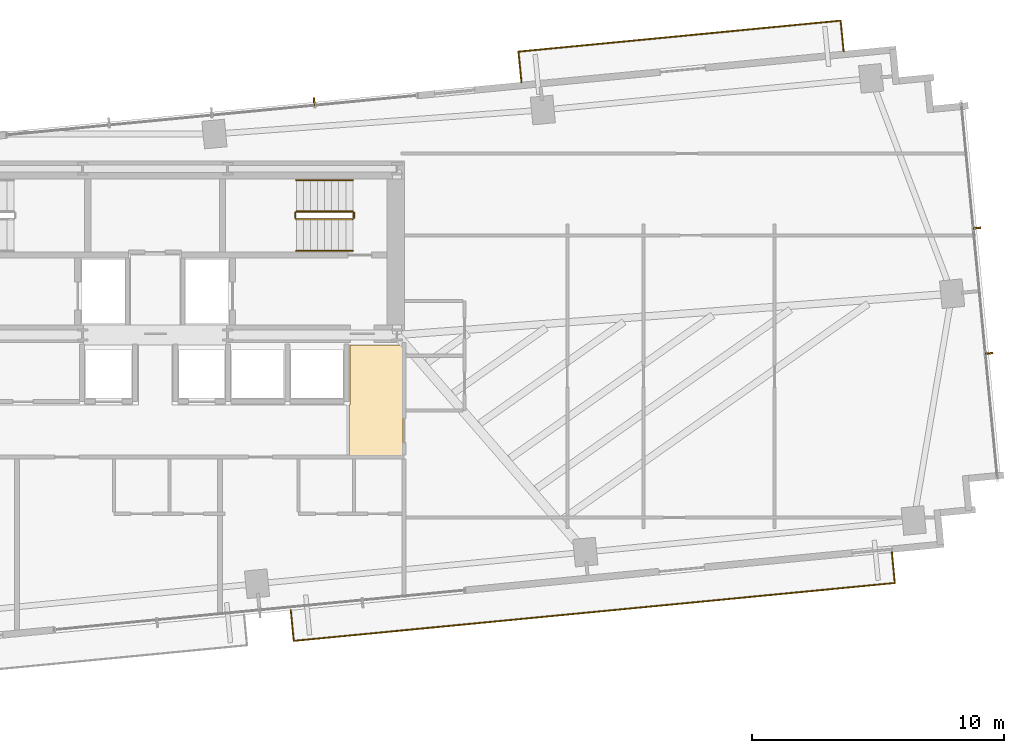
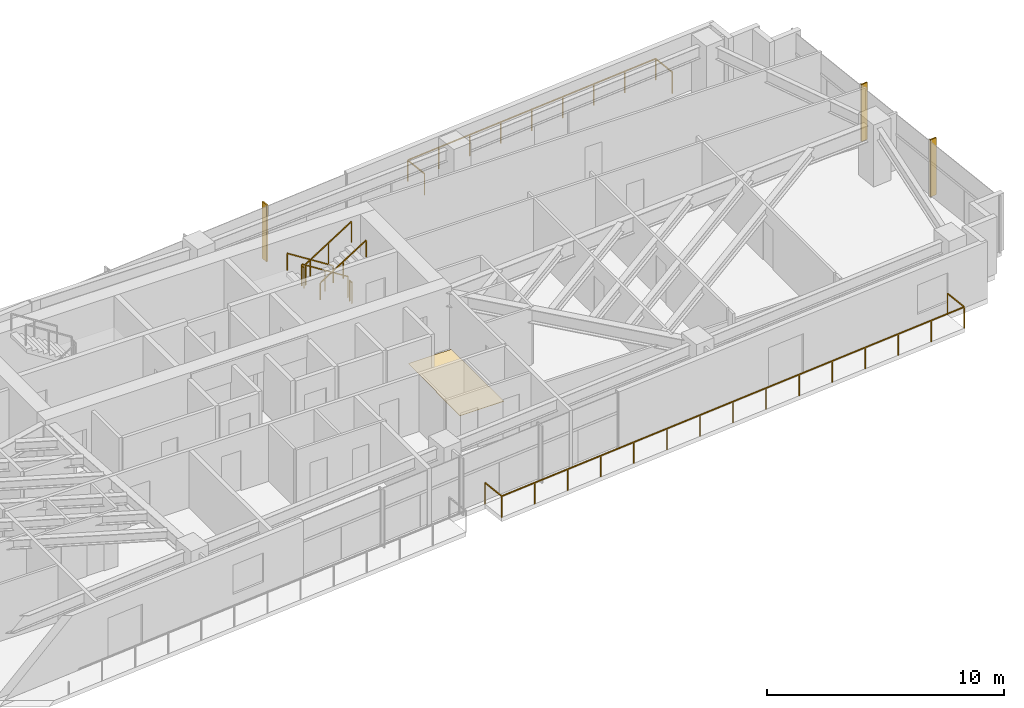
# One storey, part 25 of 25: 8 railings, 3 shading devices, 1 covering.
"""IFC4 building model written with IfcOpenShell, lengths in metres."""

from ifc_helpers import new_model, si_unit, direction, frame, origin, origin_2d, place, context, subcontext, project, spatial, polyline, rectangle, outline, extrude, source, transform, mapped, material, layer, layer_set, type_object, type_shapes, element, save


model = new_model("IFC4")

# Units and contexts
model_context = context("Model", 3, precision=1e-05, world=origin(), true_north=direction((0.0, 1.0)))
body_context = subcontext(model_context, "Body", "Model", "MODEL_VIEW")
ifc_project = project(units=[si_unit("LENGTHUNIT", "METRE"), si_unit("AREAUNIT", "SQUARE_METRE"), si_unit("VOLUMEUNIT", "CUBIC_METRE"), si_unit("PLANEANGLEUNIT", "RADIAN"), si_unit("MASSUNIT", "GRAM", prefix="KILO")], contexts=[model_context])

# Site, building, storey
site_placement = place(None, origin())
site = spatial("IfcSite", under=ifc_project, at=site_placement, CompositionType="ELEMENT")
building_placement = place(site_placement, origin())
building = spatial("IfcBuilding", under=site, at=building_placement, Name="Astriad Promenade Condominiums", CompositionType="ELEMENT")
storey_placement = place(building_placement, frame((0.0, 0.0, 106.60009765625)))
storey = spatial("IfcBuildingStorey", under=building, at=storey_placement, Name="L30", CompositionType="ELEMENT", Elevation=106.60009765625)

# Covering
ifc_material_1 = material(Name="Polished Lakefront Terrazzo Flooring")
ifc_layer = layer(ifc_material_1, 0.02001953125)
ifc_layer_set = layer_set([ifc_layer], Name="Polished Lakefront Terrazzo Flooring")
covering_type = type_object("IfcCoveringType", Name="COV-FLOR-TERRAZZO-20", PredefinedType="FLOORING", material=ifc_layer_set)
covering_placement = place(storey_placement, origin())
element("IfcCovering", 1, at=covering_placement, inside=storey, type_object=covering_type, Name="FLR-L30-COR-1", PredefinedType="FLOORING", context=body_context, shape_type="SweptSolid", body=[
    extrude(outline(polyline([(43.699951171875, 12.590087890625), (43.699951171875, 14.610107421875), (43.703857421875, 14.610107421875), (43.707763671875, 14.61083984375), (43.711669921875, 14.61181640625), (43.71533203125, 14.613037109375), (43.718994140625, 14.61474609375), (43.72216796875, 14.61669921875), (43.725341796875, 14.619140625), (43.728271484375, 14.62158203125), (43.73095703125, 14.62451171875), (43.7333984375, 14.627685546875), (43.7353515625, 14.631103515625), (43.737060546875, 14.634765625), (43.73828125, 14.638427734375), (43.7392578125, 14.64208984375), (43.73974609375, 14.64599609375), (43.739990234375, 14.64990234375), (43.739990234375, 17.010009765625), (45.840087890625, 17.010009765625), (45.840087890625, 12.590087890625), (43.699951171875, 12.590087890625)])), origin(), (0.0, 0.0, 1.0), 0.02001953125),
])

# Shading devices
ifc_material_2 = material(Name="Anodised aluminium 6063-T6 Black Fin", Category="aluminium")
shading_device_type = type_object("IfcShadingDeviceType", Name="FIN-BLACK-320", PredefinedType="USERDEFINED", material=ifc_material_2)
shared_shape_1 = source(origin(), body_context, "Body", "SweptSolid", [
    extrude(rectangle(XDim=0.06494140625, YDim=0.320068359375, at=origin_2d()), origin(), (0.0, 0.0, 1.0), 2.93994140625),
])
type_shapes(shading_device_type, [shared_shape_1])
for number, where, z_axis, x_axis, name in (
    (2, (42.31689453125, 26.656494140625, 0.0), (0.0, 0.0, 1.0), (0.995396198367, 0.09584575252, 0.0), "CW-L30-N-FIN-03"),
    (3, (68.63330078125, 21.6455078125, 0.0), (0.0, 0.0, 1.0), (0.09584575252, -0.995396198367, 0.0), "CW-L30-E-FIN-01"),
    (4, (69.1123046875, 16.668701171875, 0.0), (0.0, 0.0, 1.0), (0.09584575252, -0.995396198367, 0.0), "CW-L30-E-FIN-02"),
):
    element("IfcShadingDevice", number, at=place(storey_placement, frame(where, z_axis=z_axis, x_axis=x_axis)), inside=storey, type_object=shading_device_type, Name=name, ObjectType="FIN", PredefinedType="USERDEFINED", context=body_context, shape_type="MappedRepresentation", body=[
        mapped(shared_shape_1, transform((0.0, 0.0, 0.0), scale=1.0)),
    ])

# Railings
ifc_material_3 = material(Name="Laminated Glass and Stainless Steel Balustrade", Category="steel")
railing_type_1 = type_object("IfcRailingType", Name="GRD-BALC-1120", PredefinedType="BALUSTRADE", material=ifc_material_3)
shared_shape_2 = source(origin(), body_context, "Body", "SweptSolid", [
    extrude(rectangle(XDim=0.048095703125, YDim=0.048095703125, at=origin_2d()), frame((0.0, 0.0, 1.09619140625), z_axis=(0.095857307208, -0.99539508571, 0.0), x_axis=(0.99539508571, 0.095857307208, 0.0)), (0.0, 0.0, 1.0), 1.219970703125),
    extrude(rectangle(XDim=0.048095703125, YDim=0.048095703125, at=origin_2d()), frame((0.116943359375, -1.21435546875, 1.09619140625), z_axis=(0.995396301327, 0.095844683232, 0.0), x_axis=(-0.095844683232, 0.995396301327, 0.0)), (0.0, 0.0, 1.0), 23.98486328125),
    extrude(rectangle(XDim=0.048095703125, YDim=0.048095703125, at=origin_2d()), frame((23.991455078125, 1.08447265625, 1.09619140625), z_axis=(-0.095659020692, 0.99541416092, 0.0), x_axis=(-0.99541416092, -0.095659020692, 0.0)), (0.0, 0.0, 1.0), 1.219970703125),
    extrude(rectangle(XDim=0.0419921875, YDim=0.0419921875, at=origin_2d()), origin(), (0.0, 0.0, 1.0), 1.072021484375),
    extrude(rectangle(XDim=0.0419921875, YDim=0.0419921875, at=origin_2d()), frame((0.116943359375, -1.21435546875, 0.0)), (0.0, 0.0, 1.0), 1.072021484375),
    extrude(rectangle(XDim=0.0419921875, YDim=0.0419921875, at=origin_2d()), frame((1.822265625, -1.050048828125, 0.0)), (0.0, 0.0, 1.0), 1.072021484375),
    extrude(rectangle(XDim=0.0419921875, YDim=0.0419921875, at=origin_2d()), frame((3.527587890625, -0.885986328125, 0.0)), (0.0, 0.0, 1.0), 1.072021484375),
    extrude(rectangle(XDim=0.0419921875, YDim=0.0419921875, at=origin_2d()), frame((5.23291015625, -0.7216796875, 0.0)), (0.0, 0.0, 1.0), 1.072021484375),
    extrude(rectangle(XDim=0.0419921875, YDim=0.0419921875, at=origin_2d()), frame((6.938232421875, -0.5576171875, 0.0)), (0.0, 0.0, 1.0), 1.072021484375),
    extrude(rectangle(XDim=0.0419921875, YDim=0.0419921875, at=origin_2d()), frame((8.6435546875, -0.393310546875, 0.0)), (0.0, 0.0, 1.0), 1.072021484375),
    extrude(rectangle(XDim=0.0419921875, YDim=0.0419921875, at=origin_2d()), frame((10.348876953125, -0.229248046875, 0.0)), (0.0, 0.0, 1.0), 1.072021484375),
    extrude(rectangle(XDim=0.0419921875, YDim=0.0419921875, at=origin_2d()), frame((12.05419921875, -0.06494140625, 0.0)), (0.0, 0.0, 1.0), 1.072021484375),
    extrude(rectangle(XDim=0.0419921875, YDim=0.0419921875, at=origin_2d()), frame((13.759521484375, 0.099365234375, 0.0)), (0.0, 0.0, 1.0), 1.072021484375),
    extrude(rectangle(XDim=0.0419921875, YDim=0.0419921875, at=origin_2d()), frame((15.46484375, 0.263427734375, 0.0)), (0.0, 0.0, 1.0), 1.072021484375),
    extrude(rectangle(XDim=0.0419921875, YDim=0.0419921875, at=origin_2d()), frame((17.170166015625, 0.427734375, 0.0)), (0.0, 0.0, 1.0), 1.072021484375),
    extrude(rectangle(XDim=0.0419921875, YDim=0.0419921875, at=origin_2d()), frame((18.87548828125, 0.591796875, 0.0)), (0.0, 0.0, 1.0), 1.072021484375),
    extrude(rectangle(XDim=0.0419921875, YDim=0.0419921875, at=origin_2d()), frame((20.580810546875, 0.756103515625, 0.0)), (0.0, 0.0, 1.0), 1.072021484375),
    extrude(rectangle(XDim=0.0419921875, YDim=0.0419921875, at=origin_2d()), frame((22.2861328125, 0.920166015625, 0.0)), (0.0, 0.0, 1.0), 1.072021484375),
    extrude(rectangle(XDim=0.0419921875, YDim=0.0419921875, at=origin_2d()), frame((23.991455078125, 1.08447265625, 0.0)), (0.0, 0.0, 1.0), 1.072021484375),
    extrude(rectangle(XDim=0.0419921875, YDim=0.0419921875, at=origin_2d()), frame((23.874755859375, 2.298828125, 0.0)), (0.0, 0.0, 1.0), 1.072021484375),
])
railing_1_placement = place(storey_placement, frame((41.384765625, 6.464111328125, 0.0)))
element("IfcRailing", 5, at=railing_1_placement, inside=storey, type_object=railing_type_1, Name="GRD-BALC-L30-SE", PredefinedType="BALUSTRADE", context=body_context, shape_type="MappedRepresentation", body=[
    mapped(shared_shape_2, transform((0.0, 0.0, 0.0), scale=1.0)),
])
shared_shape_3 = source(origin(), body_context, "Body", "SweptSolid", [
    extrude(rectangle(XDim=0.048095703125, YDim=0.048095703125, at=origin_2d()), frame((0.0, 0.0, 1.09619140625), z_axis=(-0.095659020692, 0.99541416092, 0.0), x_axis=(-0.99541416092, -0.095659020692, 0.0)), (0.0, 0.0, 1.0), 1.219970703125),
    extrude(rectangle(XDim=0.048095703125, YDim=0.048095703125, at=origin_2d()), frame((-0.11669921875, 1.21435546875, 1.09619140625), z_axis=(-0.995397053245, -0.09583687386, 0.0), x_axis=(0.09583687386, -0.995397053245, 0.0)), (0.0, 0.0, 1.0), 12.85693359375),
    extrude(rectangle(XDim=0.048095703125, YDim=0.048095703125, at=origin_2d()), frame((-12.91455078125, -0.017822265625, 1.09619140625), z_axis=(0.095857307208, -0.99539508571, 0.0), x_axis=(0.99539508571, 0.095857307208, 0.0)), (0.0, 0.0, 1.0), 1.219970703125),
    extrude(rectangle(XDim=0.0419921875, YDim=0.0419921875, at=origin_2d()), origin(), (0.0, 0.0, 1.0), 1.072021484375),
    extrude(rectangle(XDim=0.0419921875, YDim=0.0419921875, at=origin_2d()), frame((-0.11669921875, 1.21435546875, 0.0)), (0.0, 0.0, 1.0), 1.072021484375),
    extrude(rectangle(XDim=0.0419921875, YDim=0.0419921875, at=origin_2d()), frame((-1.71630859375, 1.060302734375, 0.0)), (0.0, 0.0, 1.0), 1.072021484375),
    extrude(rectangle(XDim=0.0419921875, YDim=0.0419921875, at=origin_2d()), frame((-3.316162109375, 0.90625, 0.0)), (0.0, 0.0, 1.0), 1.072021484375),
    extrude(rectangle(XDim=0.0419921875, YDim=0.0419921875, at=origin_2d()), frame((-4.916015625, 0.752197265625, 0.0)), (0.0, 0.0, 1.0), 1.072021484375),
    extrude(rectangle(XDim=0.0419921875, YDim=0.0419921875, at=origin_2d()), frame((-6.515625, 0.59814453125, 0.0)), (0.0, 0.0, 1.0), 1.072021484375),
    extrude(rectangle(XDim=0.0419921875, YDim=0.0419921875, at=origin_2d()), frame((-8.115234375, 0.4443359375, 0.0)), (0.0, 0.0, 1.0), 1.072021484375),
    extrude(rectangle(XDim=0.0419921875, YDim=0.0419921875, at=origin_2d()), frame((-9.715087890625, 0.290283203125, 0.0)), (0.0, 0.0, 1.0), 1.072021484375),
    extrude(rectangle(XDim=0.0419921875, YDim=0.0419921875, at=origin_2d()), frame((-11.31494140625, 0.13623046875, 0.0)), (0.0, 0.0, 1.0), 1.072021484375),
    extrude(rectangle(XDim=0.0419921875, YDim=0.0419921875, at=origin_2d()), frame((-12.91455078125, -0.017822265625, 0.0)), (0.0, 0.0, 1.0), 1.072021484375),
    extrude(rectangle(XDim=0.0419921875, YDim=0.0419921875, at=origin_2d()), frame((-12.797607421875, -1.232177734375, 0.0)), (0.0, 0.0, 1.0), 1.072021484375),
])
type_shapes(railing_type_1, [shared_shape_2, shared_shape_3])
railing_2_placement = place(storey_placement, frame((63.34228515625, 28.6708984375, 0.0)))
element("IfcRailing", 6, at=railing_2_placement, inside=storey, type_object=railing_type_1, Name="GRD-BALC-L30-NE", PredefinedType="BALUSTRADE", context=body_context, shape_type="MappedRepresentation", body=[
    mapped(shared_shape_3, transform((0.0, 0.0, 0.0), scale=1.0)),
])
ifc_material_4 = material(Name="Painted Galvanised Steel Guardrail", Category="steel")
railing_type_2 = type_object("IfcRailingType", Name="GRD-STAIR-1100", PredefinedType="GUARDRAIL", material=ifc_material_4)
shared_shape_4 = source(origin(), body_context, "Body", "SweptSolid", [
    extrude(rectangle(XDim=0.048095703125, YDim=0.048095703125, at=origin_2d()), frame((0.0, 0.0, 1.076171875), z_axis=(0.84418770128, 0.0, 0.536047689118), x_axis=(0.0, 1.0, 0.0)), (0.0, 0.0, 1.0), 2.6533203125),
    extrude(rectangle(XDim=0.0419921875, YDim=0.0419921875, at=origin_2d()), origin(), (0.0, 0.0, 1.0), 1.052001953125),
    extrude(rectangle(XDim=0.0419921875, YDim=0.0419921875, at=origin_2d()), frame((1.1201171875, 0.0, 0.711181640625)), (0.0, 0.0, 1.0), 1.052001953125),
    extrude(rectangle(XDim=0.0419921875, YDim=0.0419921875, at=origin_2d()), frame((2.239990234375, 0.0, 1.42236328125)), (0.0, 0.0, 1.0), 1.052001953125),
])
railing_3_placement = place(storey_placement, frame((41.610107421875, 22.0, 1.777587890625)))
element("IfcRailing", 7, at=railing_3_placement, inside=storey, type_object=railing_type_2, Name="L30 ST-2 stair guard 3", PredefinedType="GUARDRAIL", context=body_context, shape_type="MappedRepresentation", body=[
    mapped(shared_shape_4, transform((0.0, 0.0, 0.0), scale=1.0)),
])
shared_shape_5 = source(origin(), body_context, "Body", "SweptSolid", [
    extrude(rectangle(XDim=0.048095703125, YDim=0.048095703125, at=origin_2d()), frame((0.0, 0.0, 1.076171875), z_axis=(-0.8442293374, 0.0, 0.53598211339), x_axis=(0.0, -1.0, 0.0)), (0.0, 0.0, 1.0), 2.6533203125),
    extrude(rectangle(XDim=0.0419921875, YDim=0.0419921875, at=origin_2d()), origin(), (0.0, 0.0, 1.0), 1.052001953125),
    extrude(rectangle(XDim=0.0419921875, YDim=0.0419921875, at=origin_2d()), frame((-1.1201171875, 0.0, 0.7109375)), (0.0, 0.0, 1.0), 1.052001953125),
    extrude(rectangle(XDim=0.0419921875, YDim=0.0419921875, at=origin_2d()), frame((-2.239990234375, 0.0, 1.422119140625)), (0.0, 0.0, 1.0), 1.052001953125),
])
railing_4_placement = place(storey_placement, frame((43.85009765625, 22.300048828125, 0.177734375)))
element("IfcRailing", 8, at=railing_4_placement, inside=storey, type_object=railing_type_2, Name="L30 ST-2 stair guard 1", PredefinedType="GUARDRAIL", context=body_context, shape_type="MappedRepresentation", body=[
    mapped(shared_shape_5, transform((0.0, 0.0, 0.0), scale=1.0)),
])
ifc_material_5 = material(Name="Brushed Stainless Steel Handrail", Category="steel")
railing_type_3 = type_object("IfcRailingType", Name="HRL-STAIR-920", PredefinedType="HANDRAIL", material=ifc_material_5)
shared_shape_6 = source(origin(), body_context, "Body", "SweptSolid", [
    extrude(rectangle(XDim=0.048095703125, YDim=0.048095703125, at=origin_2d()), frame((0.0, 0.0, 0.8759765625), z_axis=(0.84418770128, 0.0, 0.536047689118), x_axis=(0.0, 1.0, 0.0)), (0.0, 0.0, 1.0), 2.6533203125),
    extrude(rectangle(XDim=0.0419921875, YDim=0.0419921875, at=origin_2d()), origin(), (0.0, 0.0, 1.0), 0.851806640625),
    extrude(rectangle(XDim=0.0419921875, YDim=0.0419921875, at=origin_2d()), frame((1.1201171875, 0.0, 0.711181640625)), (0.0, 0.0, 1.0), 0.851806640625),
    extrude(rectangle(XDim=0.0419921875, YDim=0.0419921875, at=origin_2d()), frame((2.239990234375, 0.0, 1.42236328125)), (0.0, 0.0, 1.0), 0.851806640625),
])
railing_5_placement = place(storey_placement, frame((41.610107421875, 20.75, 1.777587890625)))
element("IfcRailing", 9, at=railing_5_placement, inside=storey, type_object=railing_type_3, Name="L30 ST-2 stair handrail 2", PredefinedType="HANDRAIL", context=body_context, shape_type="MappedRepresentation", body=[
    mapped(shared_shape_6, transform((0.0, 0.0, 0.0), scale=1.0)),
])
shared_shape_7 = source(origin(), body_context, "Body", "SweptSolid", [
    extrude(rectangle(XDim=0.048095703125, YDim=0.048095703125, at=origin_2d()), frame((0.0, 0.0, 0.8759765625), z_axis=(-0.8442293374, 0.0, 0.53598211339), x_axis=(0.0, -1.0, 0.0)), (0.0, 0.0, 1.0), 2.6533203125),
    extrude(rectangle(XDim=0.0419921875, YDim=0.0419921875, at=origin_2d()), origin(), (0.0, 0.0, 1.0), 0.851806640625),
    extrude(rectangle(XDim=0.0419921875, YDim=0.0419921875, at=origin_2d()), frame((-1.1201171875, 0.0, 0.7109375)), (0.0, 0.0, 1.0), 0.851806640625),
    extrude(rectangle(XDim=0.0419921875, YDim=0.0419921875, at=origin_2d()), frame((-2.239990234375, 0.0, 1.422119140625)), (0.0, 0.0, 1.0), 0.851806640625),
])
type_shapes(railing_type_3, [shared_shape_6, shared_shape_7])
railing_6_placement = place(storey_placement, frame((43.85009765625, 23.550048828125, 0.177734375)))
element("IfcRailing", 10, at=railing_6_placement, inside=storey, type_object=railing_type_3, Name="L30 ST-2 stair handrail 1", PredefinedType="HANDRAIL", context=body_context, shape_type="MappedRepresentation", body=[
    mapped(shared_shape_7, transform((0.0, 0.0, 0.0), scale=1.0)),
])
shared_shape_8 = source(origin(), body_context, "Body", "SweptSolid", [
    extrude(rectangle(XDim=0.048095703125, YDim=0.048095703125, at=origin_2d()), frame((0.0, 0.0, 1.076171875), z_axis=(0.0, -1.0, 0.0), x_axis=(1.0, 0.0, 0.0)), (0.0, 0.0, 1.0), 0.199951171875),
    extrude(rectangle(XDim=0.0419921875, YDim=0.0419921875, at=origin_2d()), origin(), (0.0, 0.0, 1.0), 1.052001953125),
    extrude(rectangle(XDim=0.0419921875, YDim=0.0419921875, at=origin_2d()), frame((0.0, -0.199951171875, 0.0)), (0.0, 0.0, 1.0), 1.052001953125),
])
type_shapes(railing_type_2, [shared_shape_4, shared_shape_5, shared_shape_8])
for number, where, name in (
    (11, (41.56005859375, 22.25, 1.599853515625), "L30 ST-2 stair guard 2"),
    (12, (43.89990234375, 22.25, 0.0), "L30 ST-2 stair guard 4"),
):
    element("IfcRailing", number, at=place(storey_placement, frame(where)), inside=storey, type_object=railing_type_2, Name=name, PredefinedType="GUARDRAIL", context=body_context, shape_type="MappedRepresentation", body=[
        mapped(shared_shape_8, transform((0.0, 0.0, 0.0), scale=1.0)),
    ])

save(model, "model.ifc")
